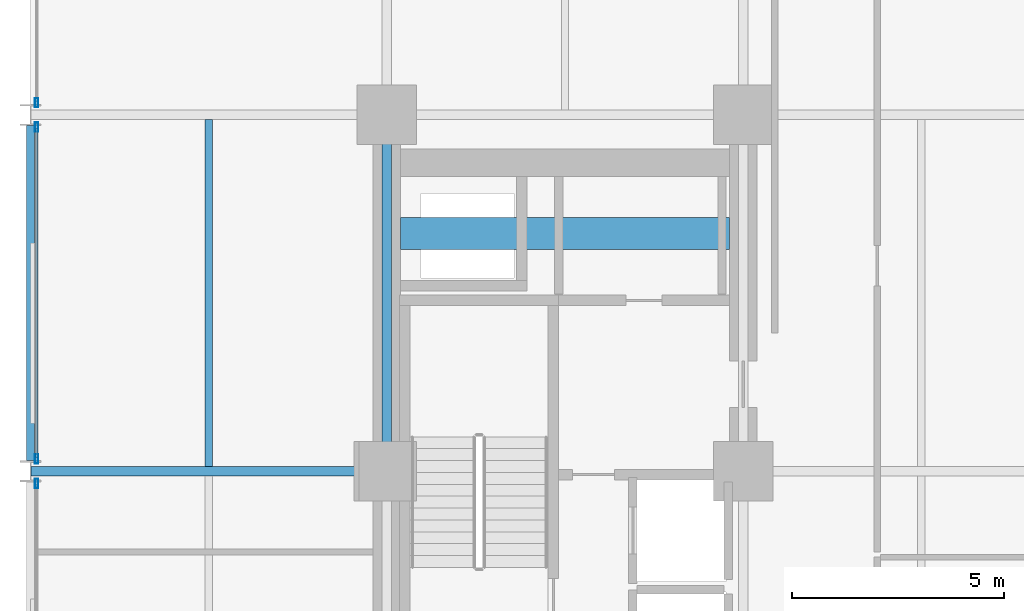
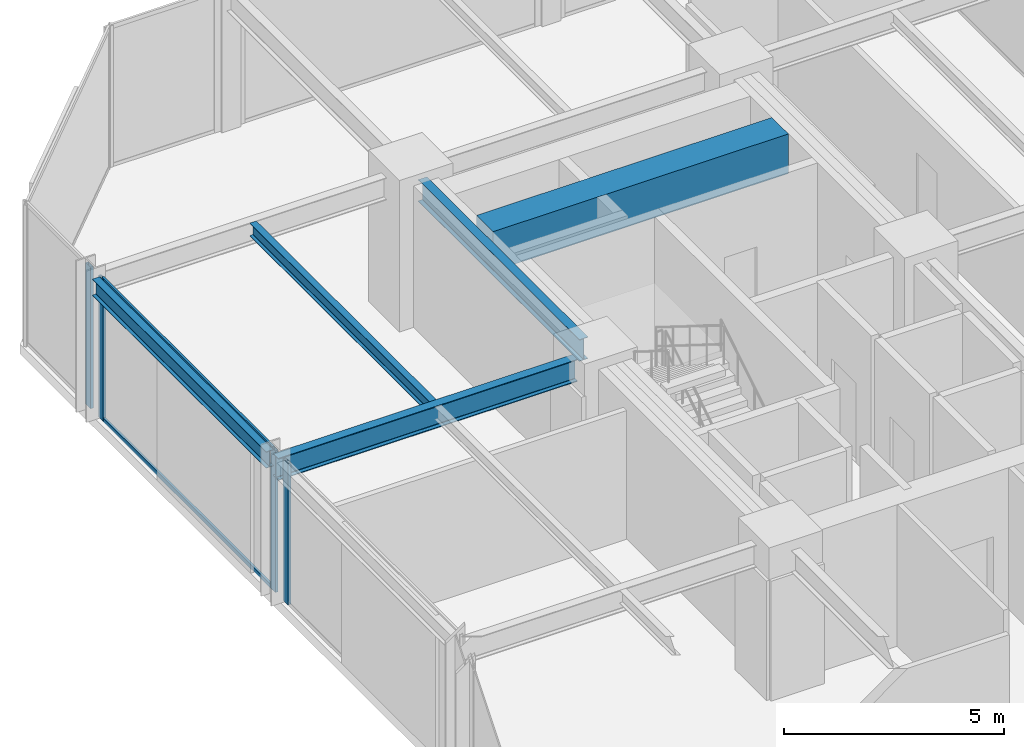
# One storey, part 14 of 24: 6 members, 5 beams, 3 elements without a shape of their own.
"""IFC4 building model written with IfcOpenShell, lengths in metres."""

from ifc_helpers import new_model, si_unit, direction, frame, origin, origin_2d, place, context, subcontext, project, spatial, rectangle, hollow_rectangle, i_section, extrude, material, layer, layer_set, material_profile, profile_set, type_object, element, aggregate, save


model = new_model("IFC4")

# Units and contexts
model_context = context("Model", 3, precision=1e-05, world=origin(), true_north=direction((0.0, 1.0)))
body_context = subcontext(model_context, "Body", "Model", "MODEL_VIEW")
ifc_project = project(units=[si_unit("LENGTHUNIT", "METRE"), si_unit("AREAUNIT", "SQUARE_METRE"), si_unit("VOLUMEUNIT", "CUBIC_METRE"), si_unit("PLANEANGLEUNIT", "RADIAN"), si_unit("MASSUNIT", "GRAM", prefix="KILO")], contexts=[model_context])

# Site, building, storey
site_placement = place(None, origin())
site = spatial("IfcSite", under=ifc_project, at=site_placement, CompositionType="ELEMENT")
building_placement = place(site_placement, origin())
building = spatial("IfcBuilding", under=site, at=building_placement, Name="Nerrivon Quay Data Exchange", CompositionType="ELEMENT")
storey_placement = place(building_placement, frame((0.0, 0.0, 33.199951171875)))
storey = spatial("IfcBuildingStorey", under=building, at=storey_placement, Name="L07", CompositionType="ELEMENT", Elevation=33.199951171875)

# Beams
ifc_material_1 = material(Name="Concrete S65 (65 MPa)", Category="concrete")
ifc_material_profile_1 = material_profile(ifc_material_1, rectangle(XDim=0.75, YDim=1.10009765625, at=origin_2d()), Name="RC-CB-750x1100")
ifc_profile_set_1 = profile_set([ifc_material_profile_1], Name="Concrete S65 (65 MPa)")
beam_type_1 = type_object("IfcBeamType", Name="BM-CB1-750x1100", PredefinedType="LINTEL", material=ifc_profile_set_1)
beam_1_placement = place(storey_placement, frame((8.72509765625, 39.199951171875, 3.375), z_axis=(1.0, 0.0, 0.0), x_axis=(0.0, 1.0, 0.0)))
element("IfcBeam", 1, at=beam_1_placement, inside=storey, type_object=beam_type_1, Name="L07 West Core Coupling Beam", PredefinedType="LINTEL", context=body_context, shape_type="SweptSolid", body=[
    extrude(rectangle(XDim=0.75, YDim=1.10009765625, at=origin_2d()), origin(), (0.0, 0.0, 1.0), 7.75),
])
ifc_material_2 = material(Name="Steel Grade 350", Category="steel")
ifc_material_profile_2 = material_profile(ifc_material_2, i_section(OverallWidth=0.22900390625, OverallDepth=0.612060546875, WebThickness=0.011962890625, FlangeThickness=0.01953125, FilletRadius=0.013916015625, at=origin_2d()), Name="610UB125")
ifc_profile_set_2 = profile_set([ifc_material_profile_2], Name="Steel Grade 350")
beam_type_2 = type_object("IfcBeamType", Name="BM-G1-610UB125", PredefinedType="BEAM", material=ifc_profile_set_2)
beam_2_placement = place(storey_placement, frame((0.013916015625, 33.60009765625, 3.619140625), z_axis=(1.0, 0.0, 0.0), x_axis=(0.0, 1.0, 0.0)))
element("IfcBeam", 2, at=beam_2_placement, inside=storey, type_object=beam_type_2, Name="L07 EW Girder Y=33.6 (0.0..8.4)", PredefinedType="BEAM", context=body_context, shape_type="SweptSolid", body=[
    extrude(i_section(OverallWidth=0.22900390625, OverallDepth=0.612060546875, WebThickness=0.011962890625, FlangeThickness=0.01953125, FilletRadius=0.013916015625, at=origin_2d()), origin(), (0.0, 0.0, 1.0), 7.84619140625),
])
ifc_material_profile_3 = material_profile(ifc_material_2, i_section(OverallWidth=0.22802734375, OverallDepth=0.60205078125, WebThickness=0.010498046875, FlangeThickness=0.014892578125, FilletRadius=0.013916015625, at=origin_2d()), Name="610UB101")
ifc_profile_set_3 = profile_set([ifc_material_profile_3], Name="Steel Grade 350")
beam_type_3 = type_object("IfcBeamType", Name="BM-G2-610UB101", PredefinedType="BEAM", material=ifc_profile_set_3)
beam_3_placement = place(storey_placement, frame((8.39990234375, 34.139892578125, 3.6240234375), z_axis=(0.0, 1.0, 0.0), x_axis=(-1.0, 0.0, 0.0)))
element("IfcBeam", 3, at=beam_3_placement, inside=storey, type_object=beam_type_3, Name="L07 NS Girder X=8.4 (33.6..42.0)", PredefinedType="BEAM", context=body_context, shape_type="SweptSolid", body=[
    extrude(i_section(OverallWidth=0.22802734375, OverallDepth=0.60205078125, WebThickness=0.010498046875, FlangeThickness=0.014892578125, FilletRadius=0.013916015625, at=origin_2d()), origin(), (0.0, 0.0, 1.0), 7.320068359375),
])
ifc_material_profile_4 = material_profile(ifc_material_2, i_section(OverallWidth=0.172119140625, OverallDepth=0.35888671875, WebThickness=0.008056640625, FlangeThickness=0.012939453125, FilletRadius=0.011474609375, at=origin_2d()), Name="360UB56.7")
ifc_profile_set_4 = profile_set([ifc_material_profile_4], Name="Steel Grade 350")
beam_type_4 = type_object("IfcBeamType", Name="BM-J3-360UB57", PredefinedType="JOIST", material=ifc_profile_set_4)
beam_4_placement = place(storey_placement, frame((4.199951171875, 33.714599609375, 3.74560546875), z_axis=(0.0, 1.0, 0.0), x_axis=(-1.0, 0.0, 0.0)))
element("IfcBeam", 4, at=beam_4_placement, inside=storey, type_object=beam_type_4, Name="L07 Secondary Joist X=4.2 (33.6..42.0)", PredefinedType="JOIST", context=body_context, shape_type="SweptSolid", body=[
    extrude(i_section(OverallWidth=0.172119140625, OverallDepth=0.35888671875, WebThickness=0.008056640625, FlangeThickness=0.012939453125, FilletRadius=0.011474609375, at=origin_2d()), origin(), (0.0, 0.0, 1.0), 8.1708984375),
])
ifc_material_profile_5 = material_profile(ifc_material_2, i_section(OverallWidth=0.18994140625, OverallDepth=0.4541015625, WebThickness=0.008544921875, FlangeThickness=0.0126953125, FilletRadius=0.011474609375, at=origin_2d()), Name="460UB67.1")
ifc_profile_set_5 = profile_set([ifc_material_profile_5], Name="Steel Grade 350")
beam_type_5 = type_object("IfcBeamType", Name="BM-SP1-460UB67", PredefinedType="SPANDREL", material=ifc_profile_set_5)
beam_5_placement = place(storey_placement, frame((0.0, 33.85009765625, 3.697998046875), z_axis=(0.0, 1.0, 0.0), x_axis=(-1.0, 0.0, 0.0)))
element("IfcBeam", 5, at=beam_5_placement, inside=storey, type_object=beam_type_5, Name="L07 NS Girder X=0.0 (33.6..42.0)", PredefinedType="SPANDREL", context=body_context, shape_type="SweptSolid", body=[
    extrude(i_section(OverallWidth=0.18994140625, OverallDepth=0.4541015625, WebThickness=0.008544921875, FlangeThickness=0.0126953125, FilletRadius=0.011474609375, at=origin_2d()), origin(), (0.0, 0.0, 1.0), 7.89990234375),
])

# Curtain wall, member
ifc_material_3 = material(Name="Anodised aluminium 6063-T6", Category="aluminium")
ifc_layer = layer(ifc_material_3, 0.219970703125)
ifc_layer_set = layer_set([ifc_layer], Name="Anodised aluminium 6063-T6")
curtain_wall_type = type_object("IfcCurtainWallType", Name="CW-SYS-01", PredefinedType="NOTDEFINED", material=ifc_layer_set)
curtain_wall_1_placement = place(storey_placement, origin())
curtain_wall_1 = element("IfcCurtainWall", 6, at=curtain_wall_1_placement, inside=storey, type_object=curtain_wall_type, Name="L07 Unitised Curtain Wall 16", PredefinedType="NOTDEFINED")
ifc_material_profile_6 = material_profile(ifc_material_3, hollow_rectangle(XDim=0.074951171875, YDim=0.219970703125, WallThickness=0.00390625, at=origin_2d()), Name="ALU-MULL-220x75")
ifc_profile_set_6 = profile_set([ifc_material_profile_6], Name="Anodised aluminium 6063-T6")
member_type_1 = type_object("IfcMemberType", Name="CWM-220x75", PredefinedType="MULLION", material=ifc_profile_set_6)
member_1_placement = place(storey_placement, frame((0.139892578125, 33.3125, 0.0), z_axis=(0.0, 0.0, 1.0), x_axis=(-1.0, 0.0, 0.0)))
member_1 = element("IfcMember", 7, at=member_1_placement, type_object=member_type_1, Name="CW01 mullion 2", PredefinedType="MULLION", context=body_context, shape_type="SweptSolid", body=[
    extrude(hollow_rectangle(XDim=0.074951171875, YDim=0.219970703125, WallThickness=0.00390625, at=origin_2d()), origin(), (0.0, 0.0, 1.0), 3.925048828125),
])
aggregate(curtain_wall_1, [member_1])

# Curtain wall, members
curtain_wall_2_placement = place(storey_placement, origin())
curtain_wall_2 = element("IfcCurtainWall", 8, at=curtain_wall_2_placement, inside=storey, type_object=curtain_wall_type, Name="L07 Unitised Curtain Wall 17", PredefinedType="NOTDEFINED")
member_2_placement = place(storey_placement, frame((0.139892578125, 33.887451171875, 0.0), z_axis=(0.0, 0.0, 1.0), x_axis=(-1.0, 0.0, 0.0)))
member_2 = element("IfcMember", 9, at=member_2_placement, type_object=member_type_1, Name="CW01 mullion 1", PredefinedType="MULLION", context=body_context, shape_type="SweptSolid", body=[
    extrude(hollow_rectangle(XDim=0.074951171875, YDim=0.219970703125, WallThickness=0.00390625, at=origin_2d()), origin(), (0.0, 0.0, 1.0), 3.925048828125),
])
member_3_placement = place(storey_placement, frame((0.139892578125, 41.71240234375, 0.0), z_axis=(0.0, 0.0, 1.0), x_axis=(-1.0, 0.0, 0.0)))
member_3 = element("IfcMember", 10, at=member_3_placement, type_object=member_type_1, Name="CW01 mullion 2", PredefinedType="MULLION", context=body_context, shape_type="SweptSolid", body=[
    extrude(hollow_rectangle(XDim=0.074951171875, YDim=0.219970703125, WallThickness=0.00390625, at=origin_2d()), origin(), (0.0, 0.0, 1.0), 3.925048828125),
])

# Curtain wall, member
curtain_wall_3_placement = place(storey_placement, origin())
curtain_wall_3 = element("IfcCurtainWall", 11, at=curtain_wall_3_placement, inside=storey, type_object=curtain_wall_type, Name="L07 Unitised Curtain Wall 18", PredefinedType="NOTDEFINED")
member_4_placement = place(storey_placement, frame((0.139892578125, 42.28759765625, 0.0), z_axis=(0.0, 0.0, 1.0), x_axis=(-1.0, 0.0, 0.0)))
member_4 = element("IfcMember", 12, at=member_4_placement, type_object=member_type_1, Name="CW01 mullion 1", PredefinedType="MULLION", context=body_context, shape_type="SweptSolid", body=[
    extrude(hollow_rectangle(XDim=0.074951171875, YDim=0.219970703125, WallThickness=0.00390625, at=origin_2d()), origin(), (0.0, 0.0, 1.0), 3.925048828125),
])
aggregate(curtain_wall_3, [member_4])

# Member
ifc_material_profile_7 = material_profile(ifc_material_3, hollow_rectangle(XDim=0.06005859375, YDim=0.1201171875, WallThickness=0.003173828125, at=origin_2d()), Name="ALU-TRAN-120x60")
ifc_profile_set_7 = profile_set([ifc_material_profile_7], Name="Anodised aluminium 6063-T6")
member_type_2 = type_object("IfcMemberType", Name="CWT-120x60", PredefinedType="USERDEFINED", material=ifc_profile_set_7)
member_5_placement = place(storey_placement, frame((0.139892578125, 33.925048828125, 0.032470703125), z_axis=(0.0, 1.0, 0.0), x_axis=(-1.0, 0.0, 0.0)))
member_5 = element("IfcMember", 13, at=member_5_placement, type_object=member_type_2, Name="CW01 transom 1.1", ObjectType="TRANSOM", PredefinedType="USERDEFINED", context=body_context, shape_type="SweptSolid", body=[
    extrude(hollow_rectangle(XDim=0.06005859375, YDim=0.1201171875, WallThickness=0.003173828125, at=origin_2d()), origin(), (0.0, 0.0, 1.0), 7.75),
])

member_6_placement = place(storey_placement, frame((0.139892578125, 33.925048828125, 3.892578125), z_axis=(0.0, 1.0, 0.0), x_axis=(-1.0, 0.0, 0.0)))
member_6 = element("IfcMember", 14, at=member_6_placement, type_object=member_type_2, Name="CW01 transom 1.2", ObjectType="TRANSOM", PredefinedType="USERDEFINED", context=body_context, shape_type="SweptSolid", body=[
    extrude(hollow_rectangle(XDim=0.06005859375, YDim=0.1201171875, WallThickness=0.003173828125, at=origin_2d()), origin(), (0.0, 0.0, 1.0), 7.75),
])

aggregate(curtain_wall_2, [member_2, member_3, member_5, member_6])

save(model, "model.ifc")
